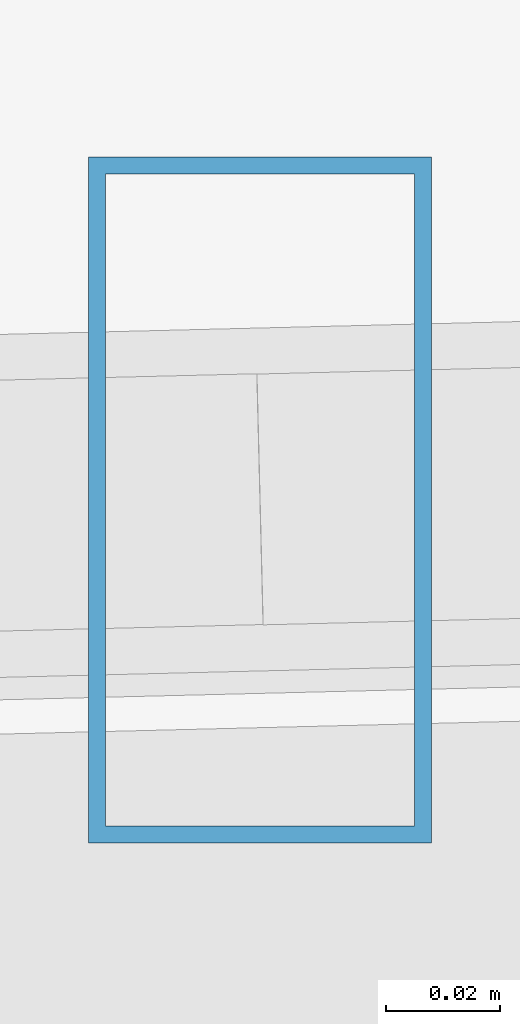
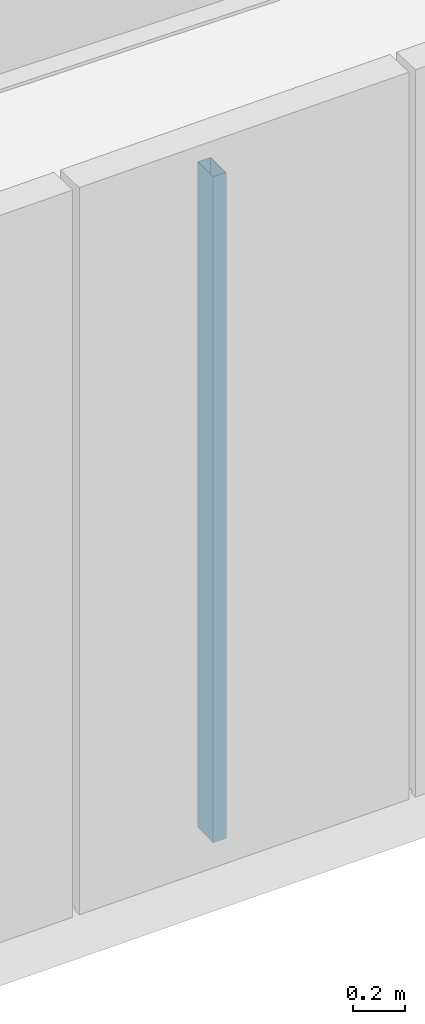
# One storey, part 5 of 48: 1 member, 1 element without a shape of its own.
"""IFC4 building model written with IfcOpenShell, lengths in metres."""

from ifc_helpers import new_model, si_unit, direction, frame, origin, origin_2d, place, context, subcontext, project, spatial, hollow_rectangle, extrude, source, transform, mapped, material, material_profile, profile_set, type_object, type_shapes, element, aggregate, save


model = new_model("IFC4")

# Units and contexts
model_context = context("Model", 3, precision=1e-05, world=origin(), true_north=direction((0.0, 1.0)))
body_context = subcontext(model_context, "Body", "Model", "MODEL_VIEW")
ifc_project = project(units=[si_unit("LENGTHUNIT", "METRE"), si_unit("AREAUNIT", "SQUARE_METRE"), si_unit("VOLUMEUNIT", "CUBIC_METRE"), si_unit("PLANEANGLEUNIT", "RADIAN"), si_unit("MASSUNIT", "GRAM", prefix="KILO")], contexts=[model_context])

# Site, building, storey
site_placement = place(None, origin())
site = spatial("IfcSite", under=ifc_project, at=site_placement, CompositionType="ELEMENT")
building_placement = place(site_placement, origin())
building = spatial("IfcBuilding", under=site, at=building_placement, Name="Caelisora Broadcast Tower", CompositionType="ELEMENT")
storey_placement = place(building_placement, frame((0.0, 0.0, 300.0)))
storey = spatial("IfcBuildingStorey", under=building, at=storey_placement, Name="L79", CompositionType="ELEMENT", Elevation=300.0)

# Curtain wall, member
ifc_material_1 = material(Name="Unitised Aluminium Insulated Shadow-Box Spandrel Curtain Wall", Category="aluminium")
curtain_wall_type = type_object("IfcCurtainWallType", Name="CW-SP3", PredefinedType="NOTDEFINED", material=ifc_material_1)
curtain_wall_placement = place(storey_placement, origin())
curtain_wall = element("IfcCurtainWall", 1, at=curtain_wall_placement, inside=storey, type_object=curtain_wall_type, Name="L79 curtain wall CW-SP3", PredefinedType="NOTDEFINED")
ifc_material_2 = material(Name="Aluminium 6063-T6 Anodised Terracotta Bronze", Category="aluminium")
ifc_material_profile = material_profile(ifc_material_2, hollow_rectangle(XDim=0.06005859375, YDim=0.1201171875, WallThickness=0.0029296875, at=origin_2d()), Name="Aluminium 6063-T6 Anodised Terracotta Bronze")
ifc_profile_set = profile_set([ifc_material_profile], Name="Aluminium 6063-T6 Anodised Terracotta Bronze")
member_type = type_object("IfcMemberType", Name="CWM-04", PredefinedType="MULLION", material=ifc_profile_set)
shared_shape = source(origin(), body_context, "Body", "SweptSolid", [
    extrude(hollow_rectangle(XDim=0.06005859375, YDim=0.1201171875, WallThickness=0.0029296875, at=origin_2d()), origin(), (0.0, 0.0, 1.0), 3.14990234375),
])
type_shapes(member_type, [shared_shape])
member_placement = place(storey_placement, frame((25.279052734375, 8.740966796875, 0.0), z_axis=(0.0, 0.0, 1.0), x_axis=(1.0, 0.0, 0.0)))
member = element("IfcMember", 2, at=member_placement, type_object=member_type, Name="L79-CW-B07 mullion #1", PredefinedType="MULLION", context=body_context, shape_type="MappedRepresentation", body=[
    mapped(shared_shape, transform((0.0, 0.0, 0.0), scale=1.0)),
])
aggregate(curtain_wall, [member])

save(model, "model.ifc")
